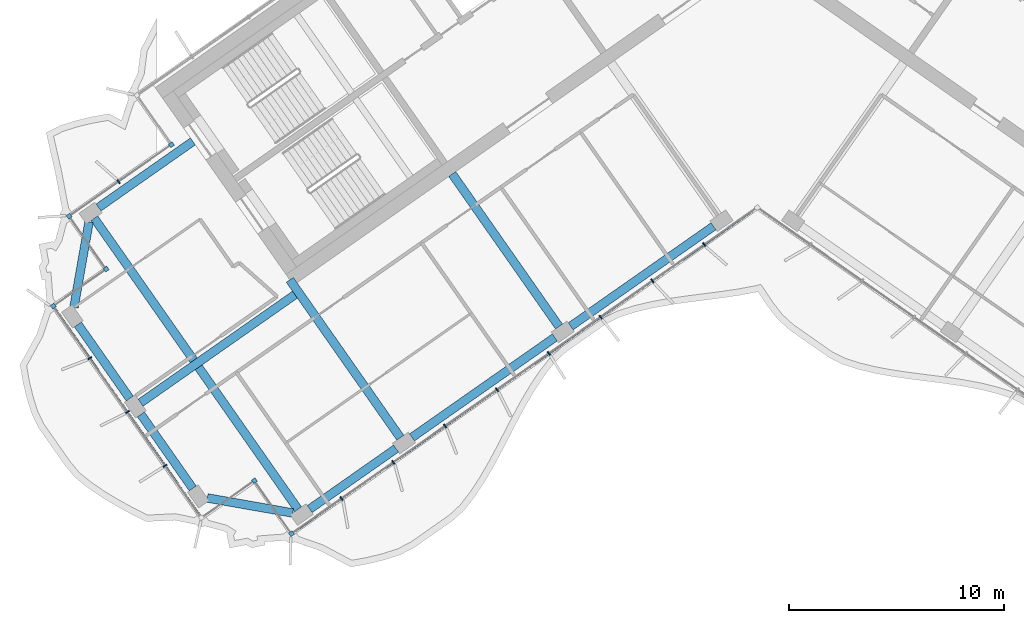
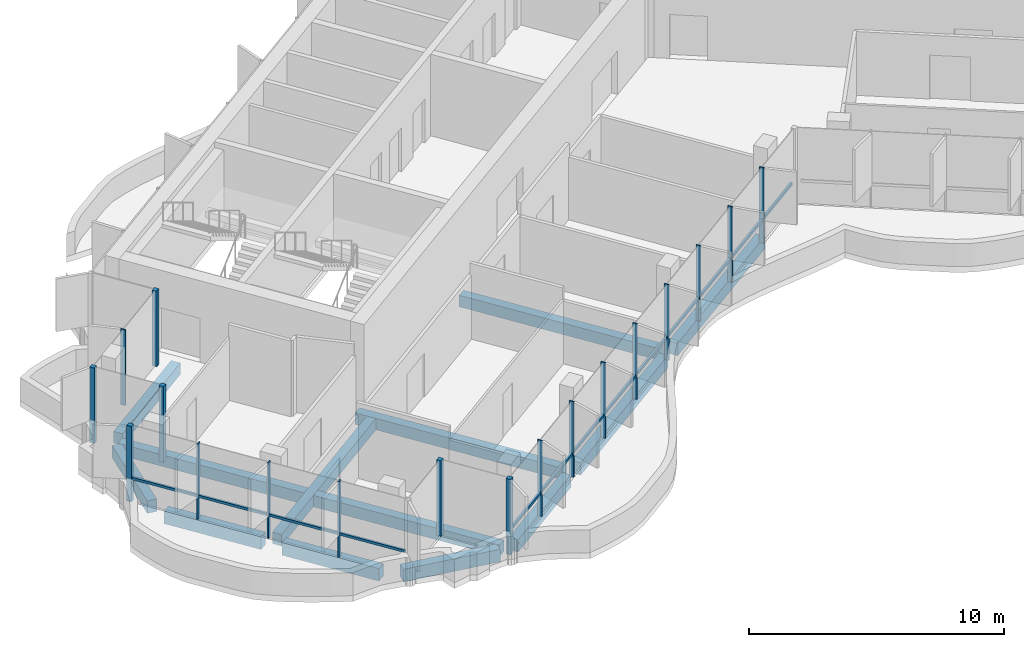
# One storey, part 2 of 20: 20 members, 12 beams, 2 elements without a shape of their own.
"""IFC4 building model written with IfcOpenShell, lengths in metres."""

from ifc_helpers import new_model, si_unit, direction, frame, origin, origin_2d, place, context, subcontext, project, spatial, rectangle, extrude, material, material_profile, profile_set, type_object, element, aggregate, save


model = new_model("IFC4")

# Units and contexts
model_context = context("Model", 3, precision=1e-05, world=origin(), true_north=direction((0.0, 1.0)))
body_context = subcontext(model_context, "Body", "Model", "MODEL_VIEW")
ifc_project = project(units=[si_unit("LENGTHUNIT", "METRE"), si_unit("AREAUNIT", "SQUARE_METRE"), si_unit("VOLUMEUNIT", "CUBIC_METRE"), si_unit("PLANEANGLEUNIT", "RADIAN"), si_unit("MASSUNIT", "GRAM", prefix="KILO")], contexts=[model_context])

# Site, building, storey
site_placement = place(None, origin())
site = spatial("IfcSite", under=ifc_project, at=site_placement, CompositionType="ELEMENT")
building_placement = place(site_placement, origin())
building = spatial("IfcBuilding", under=site, at=building_placement, Name="Tel Ilan Convention Tower", CompositionType="ELEMENT")
storey_placement = place(building_placement, frame((0.0, 0.0, 229.300048828125)))
storey = spatial("IfcBuildingStorey", under=building, at=storey_placement, Name="L53", CompositionType="ELEMENT", Elevation=229.300048828125)

# Beams
ifc_material_1 = material(Name="Concrete C40/50", Category="concrete")
ifc_material_profile_1 = material_profile(ifc_material_1, rectangle(XDim=0.39990234375, YDim=0.550048828125, at=origin_2d()), Name="RC 400x550")
ifc_profile_set_1 = profile_set([ifc_material_profile_1], Name="Concrete C40/50")
beam_type_1 = type_object("IfcBeamType", Name="Beam RC 400x550 Concrete C40/50", PredefinedType="BEAM", material=ifc_profile_set_1)
beam_1_placement = place(storey_placement, frame((-30.6005859375, -12.6982421875, -0.554931640625), z_axis=(0.819146154531, 0.573584847705, 0.0), x_axis=(-0.573584847705, 0.819146154531, 0.0)))
element("IfcBeam", 1, at=beam_1_placement, inside=storey, type_object=beam_type_1, Name="L53 beam W-W-BC-core", PredefinedType="BEAM", context=body_context, shape_type="SweptSolid", body=[
    extrude(rectangle(XDim=0.39990234375, YDim=0.550048828125, at=origin_2d()), origin(), (0.0, 0.0, 1.0), 5.349853515625),
])
beam_2_placement = place(storey_placement, frame((-9.209716796875, -18.229248046875, -0.554931640625), z_axis=(-0.573574099654, 0.819153680457, 0.0), x_axis=(-0.819153680457, -0.573574099654, 0.0)))
element("IfcBeam", 2, at=beam_2_placement, inside=storey, type_object=beam_type_1, Name="L53 beam W-W-F2-core", PredefinedType="BEAM", context=body_context, shape_type="SweptSolid", body=[
    extrude(rectangle(XDim=0.39990234375, YDim=0.550048828125, at=origin_2d()), origin(), (0.0, 0.0, 1.0), 8.64990234375),
])
beam_3_placement = place(storey_placement, frame((-16.58203125, -23.391357421875, -0.554931640625), z_axis=(-0.573584999642, 0.819146048141, 0.0), x_axis=(-0.819146048141, -0.573584999642, 0.0)))
element("IfcBeam", 3, at=beam_3_placement, inside=storey, type_object=beam_type_1, Name="L53 beam W-W-F3-core", PredefinedType="BEAM", context=body_context, shape_type="SweptSolid", body=[
    extrude(rectangle(XDim=0.39990234375, YDim=0.550048828125, at=origin_2d()), origin(), (0.0, 0.0, 1.0), 8.949951171875),
])
beam_4_placement = place(storey_placement, frame((-21.477783203125, -16.748046875, -0.554931640625), z_axis=(-0.819157197737, -0.573569076395, 0.0), x_axis=(0.573569076395, -0.819157197737, 0.0)))
element("IfcBeam", 4, at=beam_4_placement, inside=storey, type_object=beam_type_1, Name="L53 beam W-core-end", PredefinedType="BEAM", context=body_context, shape_type="SweptSolid", body=[
    extrude(rectangle(XDim=0.39990234375, YDim=0.550048828125, at=origin_2d()), origin(), (0.0, 0.0, 1.0), 8.75),
])
beam_5_placement = place(storey_placement, frame((-21.333251953125, -26.718017578125, -0.554931640625), z_axis=(-0.573574554643, 0.819153361872, 0.0), x_axis=(-0.819153361872, -0.573574554643, 0.0)))
element("IfcBeam", 5, at=beam_5_placement, inside=storey, type_object=beam_type_1, Name="L53 beam W-W-FC-W-BC", PredefinedType="BEAM", context=body_context, shape_type="SweptSolid", body=[
    extrude(rectangle(XDim=0.39990234375, YDim=0.550048828125, at=origin_2d()), origin(), (0.0, 0.0, 1.0), 16.499755859375),
])
ifc_material_2 = material(Name="Concrete C40/50", Category="concrete")
ifc_material_profile_2 = material_profile(ifc_material_2, rectangle(XDim=0.39990234375, YDim=0.60009765625, at=origin_2d()), Name="RC 400x600")
ifc_profile_set_2 = profile_set([ifc_material_profile_2], Name="Concrete C40/50")
beam_type_2 = type_object("IfcBeamType", Name="Beam RC 400x600 Concrete C40/50", PredefinedType="BEAM", material=ifc_profile_set_2)
beam_6_placement = place(storey_placement, frame((-2.033935546875, -13.57080078125, -0.580078125), z_axis=(-0.81914553362, -0.573585734437, 0.0), x_axis=(0.573585734437, -0.81914553362, 0.0)))
element("IfcBeam", 6, at=beam_6_placement, inside=storey, type_object=beam_type_2, Name="L53 beam W-W-F1-W-F2", PredefinedType="BEAM", context=body_context, shape_type="SweptSolid", body=[
    extrude(rectangle(XDim=0.39990234375, YDim=0.60009765625, at=origin_2d()), origin(), (0.0, 0.0, 1.0), 8.099853515625),
])
beam_7_placement = place(storey_placement, frame((-9.40625, -18.73291015625, -0.580078125), z_axis=(-0.819155449703, -0.573571572885, 0.0), x_axis=(0.573571572885, -0.819155449703, 0.0)))
element("IfcBeam", 7, at=beam_7_placement, inside=storey, type_object=beam_type_2, Name="L53 beam W-W-F2-W-F3", PredefinedType="BEAM", context=body_context, shape_type="SweptSolid", body=[
    extrude(rectangle(XDim=0.39990234375, YDim=0.60009765625, at=origin_2d()), origin(), (0.0, 0.0, 1.0), 8.10009765625),
])
beam_8_placement = place(storey_placement, frame((-16.778564453125, -23.895263671875, -0.580078125), z_axis=(-0.819154669329, -0.573572687386, 0.0), x_axis=(0.573572687386, -0.819154669329, 0.0)))
element("IfcBeam", 8, at=beam_8_placement, inside=storey, type_object=beam_type_2, Name="L53 beam W-W-F3-W-FC", PredefinedType="BEAM", context=body_context, shape_type="SweptSolid", body=[
    extrude(rectangle(XDim=0.39990234375, YDim=0.60009765625, at=origin_2d()), origin(), (0.0, 0.0, 1.0), 4.900146484375),
])
beam_9_placement = place(storey_placement, frame((-21.578857421875, -26.89013671875, -0.580078125), z_axis=(-0.984804894423, 0.173664388751, 0.0), x_axis=(-0.173664388751, -0.984804894423, 0.0)))
element("IfcBeam", 9, at=beam_9_placement, inside=storey, type_object=beam_type_2, Name="L53 beam W-W-FC-W-E1", PredefinedType="BEAM", context=body_context, shape_type="SweptSolid", body=[
    extrude(rectangle(XDim=0.39990234375, YDim=0.60009765625, at=origin_2d()), origin(), (0.0, 0.0, 1.0), 4.030517578125),
])
for number, where, z_axis, x_axis, name in (
    (10, (-26.22412109375, -25.748046875, -0.580078125), (-0.573563773994, 0.819160910421, 0.0), (-0.819160910421, -0.573563773994, 0.0), "L53 beam W-W-E1-W-E2"),
    (11, (-29.1494140625, -21.5703125, -0.580078125), (-0.573563773994, 0.819160910421, 0.0), (-0.819160910421, -0.573563773994, 0.0), "L53 beam W-W-E2-W-E3"),
):
    element("IfcBeam", number, at=place(storey_placement, frame(where, z_axis=z_axis, x_axis=x_axis)), inside=storey, type_object=beam_type_2, Name=name, PredefinedType="BEAM", context=body_context, shape_type="SweptSolid", body=[
        extrude(rectangle(XDim=0.39990234375, YDim=0.60009765625, at=origin_2d()), origin(), (0.0, 0.0, 1.0), 4.199951171875),
    ])
beam_10_placement = place(storey_placement, frame((-31.742919921875, -17.343505859375, -0.580078125), z_axis=(0.173664388751, 0.984804894423, 0.0), x_axis=(-0.984804894423, 0.173664388751, 0.0)))
element("IfcBeam", 12, at=beam_10_placement, inside=storey, type_object=beam_type_2, Name="L53 beam W-W-E3-W-BC", PredefinedType="BEAM", context=body_context, shape_type="SweptSolid", body=[
    extrude(rectangle(XDim=0.39990234375, YDim=0.60009765625, at=origin_2d()), origin(), (0.0, 0.0, 1.0), 4.030517578125),
])

# Curtain wall, member
ifc_material_3 = material(Name="Aluminium, bronze anodised", Category="aluminium")
curtain_wall_type_1 = type_object("IfcCurtainWallType", Name="CW2 STICK CURTAIN WALL, SPANDREL PANELS", PredefinedType="NOTDEFINED", material=ifc_material_3)
curtain_wall_1_placement = place(storey_placement, origin())
curtain_wall_1 = element("IfcCurtainWall", 13, at=curtain_wall_1_placement, inside=storey, type_object=curtain_wall_type_1, Name="Curtain wall CW2-42.01", PredefinedType="NOTDEFINED")
ifc_material_4 = material(Name="Aluminium, bronze anodised", Category="aluminium")
ifc_material_profile_3 = material_profile(ifc_material_4, rectangle(XDim=0.199951171875, YDim=0.199951171875, at=origin_2d()), Name="CW CORNER MULLION 200x200")
ifc_profile_set_3 = profile_set([ifc_material_profile_3], Name="Aluminium, bronze anodised")
member_type_1 = type_object("IfcMemberType", Name="CW CORNER MULLION 200x200", PredefinedType="MULLION", material=ifc_profile_set_3)
member_1_placement = place(storey_placement, frame((-27.213623046875, -9.77734375, 0.0), z_axis=(0.0, 0.0, 1.0), x_axis=(0.573576436351, -0.819152044289, 0.0)))
member_1 = element("IfcMember", 14, at=member_1_placement, type_object=member_type_1, Name="Corner mullion", PredefinedType="MULLION", context=body_context, shape_type="SweptSolid", body=[
    extrude(rectangle(XDim=0.199951171875, YDim=0.199951171875, at=origin_2d()), origin(), (0.0, 0.0, 1.0), 3.619873046875),
])
aggregate(curtain_wall_1, [member_1])

# Curtain wall, members
ifc_material_5 = material(Name="Aluminium, bronze anodised", Category="aluminium")
curtain_wall_type_2 = type_object("IfcCurtainWallType", Name="CW5 STICK CURTAIN WALL, UPPER OFFICE LOW-IRON TINTED GLASS", PredefinedType="NOTDEFINED", material=ifc_material_5)
curtain_wall_2_placement = place(storey_placement, origin())
curtain_wall_2 = element("IfcCurtainWall", 15, at=curtain_wall_2_placement, inside=storey, type_object=curtain_wall_type_2, Name="Curtain wall CW5-42.02", PredefinedType="NOTDEFINED")
member_2_placement = place(storey_placement, frame((-31.964599609375, -13.10400390625, 0.0), z_axis=(0.0, 0.0, 1.0), x_axis=(-0.819152044289, -0.573576436351, 0.0)))
member_2 = element("IfcMember", 16, at=member_2_placement, type_object=member_type_1, Name="Corner mullion", PredefinedType="MULLION", context=body_context, shape_type="SweptSolid", body=[
    extrude(rectangle(XDim=0.199951171875, YDim=0.199951171875, at=origin_2d()), origin(), (0.0, 0.0, 1.0), 3.619873046875),
])
member_3_placement = place(storey_placement, frame((-30.243896484375, -15.5615234375, 0.0), z_axis=(0.0, 0.0, 1.0), x_axis=(0.573576436351, -0.819152044289, 0.0)))
member_3 = element("IfcMember", 17, at=member_3_placement, type_object=member_type_1, Name="Corner mullion", PredefinedType="MULLION", context=body_context, shape_type="SweptSolid", body=[
    extrude(rectangle(XDim=0.199951171875, YDim=0.199951171875, at=origin_2d()), origin(), (0.0, 0.0, 1.0), 3.619873046875),
])
member_4_placement = place(storey_placement, frame((-32.701416015625, -17.2822265625, 0.0), z_axis=(0.0, 0.0, 1.0), x_axis=(-0.819152044289, -0.573576436351, 0.0)))
member_4 = element("IfcMember", 18, at=member_4_placement, type_object=member_type_1, Name="Corner mullion", PredefinedType="MULLION", context=body_context, shape_type="SweptSolid", body=[
    extrude(rectangle(XDim=0.199951171875, YDim=0.199951171875, at=origin_2d()), origin(), (0.0, 0.0, 1.0), 3.619873046875),
])
member_5_placement = place(storey_placement, frame((-23.36083984375, -25.391357421875, 0.0), z_axis=(0.0, 0.0, 1.0), x_axis=(0.819152044289, 0.573576436351, 0.0)))
member_5 = element("IfcMember", 19, at=member_5_placement, type_object=member_type_1, Name="Corner mullion", PredefinedType="MULLION", context=body_context, shape_type="SweptSolid", body=[
    extrude(rectangle(XDim=0.199951171875, YDim=0.199951171875, at=origin_2d()), origin(), (0.0, 0.0, 1.0), 3.619873046875),
])
member_6_placement = place(storey_placement, frame((-21.64013671875, -27.8486328125, 0.0), z_axis=(0.0, 0.0, 1.0), x_axis=(0.573576436351, -0.819152044289, 0.0)))
member_6 = element("IfcMember", 20, at=member_6_placement, type_object=member_type_1, Name="Corner mullion", PredefinedType="MULLION", context=body_context, shape_type="SweptSolid", body=[
    extrude(rectangle(XDim=0.199951171875, YDim=0.199951171875, at=origin_2d()), origin(), (0.0, 0.0, 1.0), 3.619873046875),
])
ifc_material_6 = material(Name="Aluminium, bronze anodised", Category="aluminium")
ifc_material_profile_4 = material_profile(ifc_material_6, rectangle(XDim=0.06005859375, YDim=0.199951171875, at=origin_2d()), Name="CW MULLION 60x200")
ifc_profile_set_4 = profile_set([ifc_material_profile_4], Name="Aluminium, bronze anodised")
member_type_2 = type_object("IfcMemberType", Name="CW MULLION 60x200", PredefinedType="MULLION", material=ifc_profile_set_4)
member_7_placement = place(storey_placement, frame((-29.6708984375, -11.498046875, 0.0), z_axis=(0.0, 0.0, 1.0), x_axis=(-0.819152044289, -0.573576436351, 0.0)))
member_7 = element("IfcMember", 21, at=member_7_placement, type_object=member_type_2, Name="Mullion", PredefinedType="MULLION", context=body_context, shape_type="SweptSolid", body=[
    extrude(rectangle(XDim=0.06005859375, YDim=0.199951171875, at=origin_2d()), origin(), (0.0, 0.0, 1.0), 3.619873046875),
])
member_8_placement = place(storey_placement, frame((-31.00927734375, -19.69873046875, 0.0), z_axis=(0.0, 0.0, 1.0), x_axis=(0.573576436351, -0.819152044289, 0.0)))
member_8 = element("IfcMember", 22, at=member_8_placement, type_object=member_type_2, Name="Mullion", PredefinedType="MULLION", context=body_context, shape_type="SweptSolid", body=[
    extrude(rectangle(XDim=0.06005859375, YDim=0.199951171875, at=origin_2d()), origin(), (0.0, 0.0, 1.0), 3.619873046875),
])
member_9_placement = place(storey_placement, frame((-29.259765625, -22.197021484375, 0.0), z_axis=(0.0, 0.0, 1.0), x_axis=(0.573576436351, -0.819152044289, 0.0)))
member_9 = element("IfcMember", 23, at=member_9_placement, type_object=member_type_2, Name="Mullion", PredefinedType="MULLION", context=body_context, shape_type="SweptSolid", body=[
    extrude(rectangle(XDim=0.06005859375, YDim=0.199951171875, at=origin_2d()), origin(), (0.0, 0.0, 1.0), 3.619873046875),
])
member_10_placement = place(storey_placement, frame((-27.510498046875, -24.695556640625, 0.0), z_axis=(0.0, 0.0, 1.0), x_axis=(0.573576436351, -0.819152044289, 0.0)))
member_10 = element("IfcMember", 24, at=member_10_placement, type_object=member_type_2, Name="Mullion", PredefinedType="MULLION", context=body_context, shape_type="SweptSolid", body=[
    extrude(rectangle(XDim=0.06005859375, YDim=0.199951171875, at=origin_2d()), origin(), (0.0, 0.0, 1.0), 3.619873046875),
])
member_11_placement = place(storey_placement, frame((-19.31494140625, -26.220458984375, 0.0), z_axis=(0.0, 0.0, 1.0), x_axis=(0.819152044289, 0.573576436351, 0.0)))
member_11 = element("IfcMember", 25, at=member_11_placement, type_object=member_type_2, Name="Mullion", PredefinedType="MULLION", context=body_context, shape_type="SweptSolid", body=[
    extrude(rectangle(XDim=0.06005859375, YDim=0.199951171875, at=origin_2d()), origin(), (0.0, 0.0, 1.0), 3.619873046875),
])
member_12_placement = place(storey_placement, frame((-16.90771484375, -24.534912109375, 0.0), z_axis=(0.0, 0.0, 1.0), x_axis=(0.819152044289, 0.573576436351, 0.0)))
member_12 = element("IfcMember", 26, at=member_12_placement, type_object=member_type_2, Name="Mullion", PredefinedType="MULLION", context=body_context, shape_type="SweptSolid", body=[
    extrude(rectangle(XDim=0.06005859375, YDim=0.199951171875, at=origin_2d()), origin(), (0.0, 0.0, 1.0), 3.619873046875),
])
member_13_placement = place(storey_placement, frame((-14.50048828125, -22.849365234375, 0.0), z_axis=(0.0, 0.0, 1.0), x_axis=(0.819152044289, 0.573576436351, 0.0)))
member_13 = element("IfcMember", 27, at=member_13_placement, type_object=member_type_2, Name="Mullion", PredefinedType="MULLION", context=body_context, shape_type="SweptSolid", body=[
    extrude(rectangle(XDim=0.06005859375, YDim=0.199951171875, at=origin_2d()), origin(), (0.0, 0.0, 1.0), 3.619873046875),
])
member_14_placement = place(storey_placement, frame((-12.09326171875, -21.163818359375, 0.0), z_axis=(0.0, 0.0, 1.0), x_axis=(0.819152044289, 0.573576436351, 0.0)))
member_14 = element("IfcMember", 28, at=member_14_placement, type_object=member_type_2, Name="Mullion", PredefinedType="MULLION", context=body_context, shape_type="SweptSolid", body=[
    extrude(rectangle(XDim=0.06005859375, YDim=0.199951171875, at=origin_2d()), origin(), (0.0, 0.0, 1.0), 3.619873046875),
])
member_15_placement = place(storey_placement, frame((-9.68603515625, -19.478271484375, 0.0), z_axis=(0.0, 0.0, 1.0), x_axis=(0.819152044289, 0.573576436351, 0.0)))
member_15 = element("IfcMember", 29, at=member_15_placement, type_object=member_type_2, Name="Mullion", PredefinedType="MULLION", context=body_context, shape_type="SweptSolid", body=[
    extrude(rectangle(XDim=0.06005859375, YDim=0.199951171875, at=origin_2d()), origin(), (0.0, 0.0, 1.0), 3.619873046875),
])
member_16_placement = place(storey_placement, frame((-7.279052734375, -17.792724609375, 0.0), z_axis=(0.0, 0.0, 1.0), x_axis=(0.819152044289, 0.573576436351, 0.0)))
member_16 = element("IfcMember", 30, at=member_16_placement, type_object=member_type_2, Name="Mullion", PredefinedType="MULLION", context=body_context, shape_type="SweptSolid", body=[
    extrude(rectangle(XDim=0.06005859375, YDim=0.199951171875, at=origin_2d()), origin(), (0.0, 0.0, 1.0), 3.619873046875),
])
member_17_placement = place(storey_placement, frame((-4.871826171875, -16.107177734375, 0.0), z_axis=(0.0, 0.0, 1.0), x_axis=(0.819152044289, 0.573576436351, 0.0)))
member_17 = element("IfcMember", 31, at=member_17_placement, type_object=member_type_2, Name="Mullion", PredefinedType="MULLION", context=body_context, shape_type="SweptSolid", body=[
    extrude(rectangle(XDim=0.06005859375, YDim=0.199951171875, at=origin_2d()), origin(), (0.0, 0.0, 1.0), 3.619873046875),
])
member_18_placement = place(storey_placement, frame((-2.464599609375, -14.421875, 0.0), z_axis=(0.0, 0.0, 1.0), x_axis=(0.819152044289, 0.573576436351, 0.0)))
member_18 = element("IfcMember", 32, at=member_18_placement, type_object=member_type_2, Name="Mullion", PredefinedType="MULLION", context=body_context, shape_type="SweptSolid", body=[
    extrude(rectangle(XDim=0.06005859375, YDim=0.199951171875, at=origin_2d()), origin(), (0.0, 0.0, 1.0), 3.619873046875),
])
ifc_material_7 = material(Name="Aluminium, bronze anodised", Category="aluminium")
ifc_material_profile_5 = material_profile(ifc_material_7, rectangle(XDim=0.10009765625, YDim=0.1201171875, at=origin_2d()), Name="CW TRANSOM 100x120")
ifc_profile_set_5 = profile_set([ifc_material_profile_5], Name="Aluminium, bronze anodised")
member_type_3 = type_object("IfcMemberType", Name="CW TRANSOM 100x120", PredefinedType="USERDEFINED", material=ifc_profile_set_5)
member_19_placement = place(storey_placement, frame((-32.64404296875, -17.364013671875, 1.099853515625), z_axis=(0.573581755582, -0.819148319698, 0.0), x_axis=(0.819148319698, 0.573581755582, 0.0)))
member_19 = element("IfcMember", 33, at=member_19_placement, type_object=member_type_3, Name="Transom", ObjectType="TRANSOM", PredefinedType="USERDEFINED", context=body_context, shape_type="SweptSolid", body=[
    extrude(rectangle(XDim=0.10009765625, YDim=0.1201171875, at=origin_2d()), origin(), (0.0, 0.0, 1.0), 11.800048828125),
])
member_20_placement = place(storey_placement, frame((-21.558349609375, -27.791259765625, 1.099853515625), z_axis=(0.819152212587, 0.573576195996, 0.0), x_axis=(-0.573576195996, 0.819152212587, 0.0)))
member_20 = element("IfcMember", 34, at=member_20_placement, type_object=member_type_3, Name="Transom", ObjectType="TRANSOM", PredefinedType="USERDEFINED", context=body_context, shape_type="SweptSolid", body=[
    extrude(rectangle(XDim=0.10009765625, YDim=0.1201171875, at=origin_2d()), origin(), (0.0, 0.0, 1.0), 26.0478515625),
])
aggregate(curtain_wall_2, [member_7, member_2, member_3, member_4, member_8, member_9, member_10, member_19, member_5, member_6, member_11, member_12, member_13, member_14, member_15, member_16, member_17, member_18, member_20])

save(model, "model.ifc")
